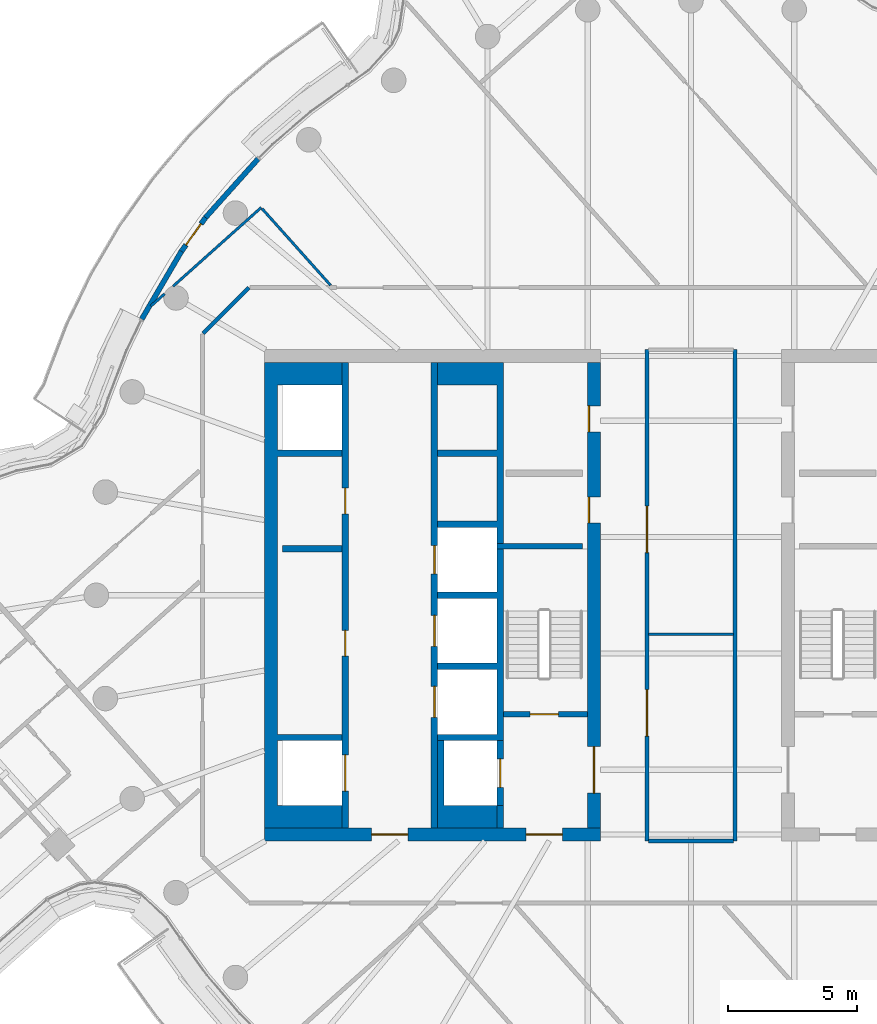
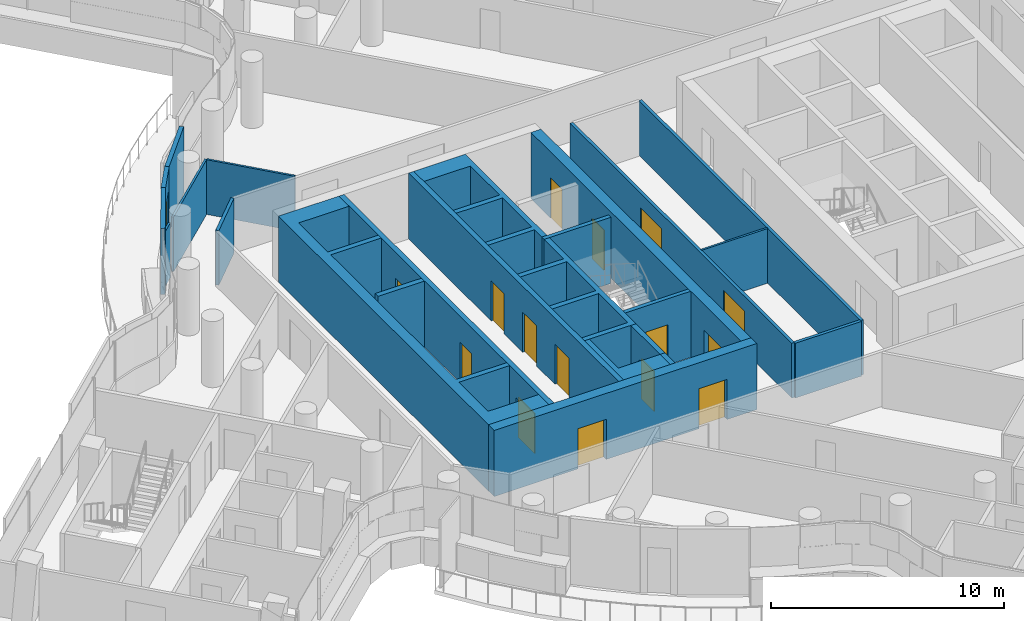
# One storey, part 22 of 33: 23 walls, 16 doors, 16 openings.
"""IFC4 building model written with IfcOpenShell, lengths in metres."""

from ifc_helpers import new_model, si_unit, direction, frame, frame_2d, origin, place, context, subcontext, project, spatial, polyline, rectangle, outline, extrude, material, layer, layer_set, type_object, element, fill, save


model = new_model("IFC4")

# Units and contexts
model_context = context("Model", 3, precision=1e-05, world=origin(), true_north=direction((0.0, 1.0)))
body_context = subcontext(model_context, "Body", "Model", "MODEL_VIEW")
ifc_project = project(units=[si_unit("LENGTHUNIT", "METRE"), si_unit("AREAUNIT", "SQUARE_METRE"), si_unit("VOLUMEUNIT", "CUBIC_METRE"), si_unit("PLANEANGLEUNIT", "RADIAN"), si_unit("MASSUNIT", "GRAM", prefix="KILO")], contexts=[model_context])

# Site, building, storey
site_placement = place(None, origin())
site = spatial("IfcSite", under=ifc_project, at=site_placement, CompositionType="ELEMENT")
building_placement = place(site_placement, origin())
building = spatial("IfcBuilding", under=site, at=building_placement, Name="Tamarind Cross Interchange Tower", CompositionType="ELEMENT")
storey_placement = place(building_placement, frame((0.0, 0.0, 186.10009765625)))
storey = spatial("IfcBuildingStorey", under=building, at=storey_placement, Name="L46", CompositionType="ELEMENT", Elevation=186.10009765625)

# Walls
ifc_material_1 = material(Name="Concrete C40", Category="concrete")
ifc_layer_1 = layer(ifc_material_1, 0.199951171875)
ifc_layer_set_1 = layer_set([ifc_layer_1], Name="Concrete C40")
wall_type_1 = type_object("IfcWallType", Name="Balcony and garden door wall", PredefinedType="SOLIDWALL", material=ifc_layer_set_1)
wall_1_placement = place(storey_placement, frame((-16.743408203125, 16.881103515625, 0.0), z_axis=(0.0, 0.0, 1.0), x_axis=(-0.667237213311, -0.744845286736, 0.0)))
element("IfcWall", 1, at=wall_1_placement, inside=storey, type_object=wall_type_1, Name="EXW-L46-10-D02L", PredefinedType="SOLIDWALL", context=body_context, shape_type="SweptSolid", body=[
    extrude(rectangle(XDim=3.04833984375, YDim=0.199951171875, at=frame_2d((1.524169921875, 0.0))), origin(), (0.0, 0.0, 1.0), 3.4599609375),
])
wall_2_placement = place(storey_placement, frame((-19.707763671875, 13.309326171875, 0.0), z_axis=(0.0, 0.0, 1.0), x_axis=(-0.504682807399, -0.863304849932, 0.0)))
element("IfcWall", 2, at=wall_2_placement, inside=storey, type_object=wall_type_1, Name="EXW-L46-10-D02R", PredefinedType="SOLIDWALL", context=body_context, shape_type="SweptSolid", body=[
    extrude(rectangle(XDim=3.047119140625, YDim=0.199951171875, at=frame_2d((1.5234375, 0.0))), origin(), (0.0, 0.0, 1.0), 3.4599609375),
])

# Wall, opening, door
wall_3_placement = place(storey_placement, frame((-18.77734375, 14.610595703125, 0.0), z_axis=(0.0, 0.0, 1.0), x_axis=(-0.58162792214, -0.81345495277, 0.0)))
wall_3 = element("IfcWall", 3, at=wall_3_placement, inside=storey, type_object=wall_type_1, Name="EXW-L46-10-D02", PredefinedType="SOLIDWALL", context=body_context, shape_type="SweptSolid", body=[
    extrude(rectangle(XDim=1.599609375, YDim=0.199951171875, at=frame_2d((0.7998046875, 0.0))), origin(), (0.0, 0.0, 1.0), 3.4599609375),
])
opening_1_placement = place(wall_3_placement, frame((0.2998046875, 0.0, 0.0)))
opening_1 = element("IfcOpeningElement", 4, at=opening_1_placement, cuts=wall_3, Name="Opening D2", PredefinedType="OPENING", context=body_context, shape_type="SweptSolid", body=[
    extrude(rectangle(XDim=1.0, YDim=2.39990234375, at=frame_2d((0.5, 1.199951171875))), frame((0.0, 0.10986328125, 0.0), z_axis=(0.0, -1.0, 0.0), x_axis=(1.0, 0.0, 0.0)), (0.0, 0.0, 1.0), 0.219970703125),
])
ifc_material_2 = material(Name="Aluminium and toughened glass", Category="aluminium")
door_type_1 = type_object("IfcDoorType", Name="Balcony and garden door", OperationType="SINGLE_SWING_LEFT", PredefinedType="DOOR", material=ifc_material_2)
door_1_placement = place(opening_1_placement, origin())
door_1 = element("IfcDoor", 5, at=door_1_placement, inside=storey, type_object=door_type_1, Name="DOR-L46-10-02", OperationType="SINGLE_SWING_LEFT", OverallHeight=2.39990234375, OverallWidth=1.0, PredefinedType="DOOR", context=body_context, shape_type="SweptSolid", body=[
    extrude(rectangle(XDim=1.0, YDim=2.39990234375, at=frame_2d((0.5, 1.199951171875))), frame((0.0, 0.02490234375, 0.0), z_axis=(0.0, -1.0, 0.0), x_axis=(1.0, 0.0, 0.0)), (0.0, 0.0, 1.0), 0.050048828125),
])
fill(opening_1, door_1)

# Wall, openings, doors
ifc_material_3 = material(Name="Concrete C55", Category="concrete")
ifc_layer_2 = layer(ifc_material_3, 0.5)
ifc_layer_set_2 = layer_set([ifc_layer_2], Name="Concrete C55")
wall_type_2 = type_object("IfcWallType", Name="Core wall 500 mm Concrete C55", PredefinedType="SHEAR", material=ifc_layer_set_2)
wall_4_placement = place(storey_placement, frame((-16.5, -9.25, 0.0), z_axis=(0.0, 0.0, 1.0), x_axis=(1.0, 0.0, 0.0)))
wall_4 = element("IfcWall", 6, at=wall_4_placement, inside=storey, type_object=wall_type_2, Name="Core wall CWL-L46-W-S", PredefinedType="SHEAR", context=body_context, shape_type="SweptSolid", body=[
    extrude(rectangle(XDim=13.0, YDim=0.5, at=frame_2d((6.5, 0.0))), origin(), (0.0, 0.0, 1.0), 3.4599609375),
])
opening_2_placement = place(wall_4_placement, frame((4.14990234375, 0.0, 0.0)))
opening_2 = element("IfcOpeningElement", 7, at=opening_2_placement, cuts=wall_4, Name="Opening DCW1", PredefinedType="OPENING", context=body_context, shape_type="SweptSolid", body=[
    extrude(rectangle(XDim=1.39990234375, YDim=2.10009765625, at=frame_2d((0.699951171875, 1.050048828125))), frame((0.0, 0.260009765625, 0.0), z_axis=(0.0, -1.0, 0.0), x_axis=(1.0, 0.0, 0.0)), (0.0, 0.0, 1.0), 0.52001953125),
])
opening_3_placement = place(wall_4_placement, frame((10.125, 0.0, 0.0)))
opening_3 = element("IfcOpeningElement", 8, at=opening_3_placement, cuts=wall_4, Name="Opening DCWF", PredefinedType="OPENING", context=body_context, shape_type="SweptSolid", body=[
    extrude(rectangle(XDim=1.39990234375, YDim=2.10009765625, at=frame_2d((0.699951171875, 1.050048828125))), frame((0.0, 0.260009765625, 0.0), z_axis=(0.0, -1.0, 0.0), x_axis=(1.0, 0.0, 0.0)), (0.0, 0.0, 1.0), 0.52001953125),
])
ifc_material_4 = material(Name="Steel, fire-resisting", Category="steel")
door_type_2 = type_object("IfcDoorType", Name="Core fire door 1400 x 2100 FD90", OperationType="SINGLE_SWING_LEFT", PredefinedType="DOOR", material=ifc_material_4)
door_2_placement = place(opening_2_placement, origin())
door_2 = element("IfcDoor", 9, at=door_2_placement, inside=storey, type_object=door_type_2, Name="L46 lift lobby door", OperationType="SINGLE_SWING_LEFT", OverallHeight=2.10009765625, OverallWidth=1.39990234375, PredefinedType="DOOR", context=body_context, shape_type="SweptSolid", body=[
    extrude(rectangle(XDim=1.39990234375, YDim=2.10009765625, at=frame_2d((0.699951171875, 1.050048828125))), frame((0.0, 0.02490234375, 0.0), z_axis=(0.0, -1.0, 0.0), x_axis=(1.0, 0.0, 0.0)), (0.0, 0.0, 1.0), 0.050048828125),
])
fill(opening_2, door_2)
door_3_placement = place(opening_3_placement, origin())
door_3 = element("IfcDoor", 10, at=door_3_placement, inside=storey, type_object=door_type_2, Name="L46 firefighting lobby end door", OperationType="SINGLE_SWING_LEFT", OverallHeight=2.10009765625, OverallWidth=1.39990234375, PredefinedType="DOOR", context=body_context, shape_type="SweptSolid", body=[
    extrude(rectangle(XDim=1.39990234375, YDim=2.10009765625, at=frame_2d((0.699951171875, 1.050048828125))), frame((0.0, 0.02490234375, 0.0), z_axis=(0.0, -1.0, 0.0), x_axis=(1.0, 0.0, 0.0)), (0.0, 0.0, 1.0), 0.050048828125),
])
fill(opening_3, door_3)

# Wall
wall_5_placement = place(storey_placement, origin())
element("IfcWall", 11, at=wall_5_placement, inside=storey, type_object=wall_type_2, Name="Core wall CWL-L46-W-A", PredefinedType="SHEAR", context=body_context, shape_type="SweptSolid", body=[
    extrude(outline(polyline([(-13.5, -8.125), (-16.0, -8.125), (-16.0, -5.625), (-13.5, -5.625), (-13.5, -5.375), (-16.0, -5.375), (-16.0, 5.375), (-13.5, 5.375), (-13.5, 5.625), (-16.0, 5.625), (-16.0, 8.125), (-13.5, 8.125), (-13.5, 9.0), (-16.0, 9.0), (-16.5, 9.0), (-16.5, -9.0), (-16.0, -9.0), (-13.5, -9.0), (-13.5, -8.125)])), origin(), (0.0, 0.0, 1.0), 3.4599609375),
])

# Wall, openings, doors
wall_6_placement = place(storey_placement, frame((-3.75, -9.0, 0.0), z_axis=(0.0, 0.0, 1.0), x_axis=(0.0, 1.0, 0.0)))
wall_6 = element("IfcWall", 12, at=wall_6_placement, inside=storey, type_object=wall_type_2, Name="Core wall CWL-L46-W-IN", PredefinedType="SHEAR", context=body_context, shape_type="SweptSolid", body=[
    extrude(rectangle(XDim=18.0, YDim=0.5, at=frame_2d((9.0, 0.0))), origin(), (0.0, 0.0, 1.0), 3.4599609375),
])
opening_4_placement = place(wall_6_placement, frame((1.35009765625, 0.0, 0.0)))
opening_4 = element("IfcOpeningElement", 13, at=opening_4_placement, cuts=wall_6, Name="Opening DCW4", PredefinedType="OPENING", context=body_context, shape_type="SweptSolid", body=[
    extrude(rectangle(XDim=1.800048828125, YDim=2.10009765625, at=frame_2d((0.89990234375, 1.050048828125))), frame((0.0, 0.260009765625, 0.0), z_axis=(0.0, -1.0, 0.0), x_axis=(1.0, 0.0, 0.0)), (0.0, 0.0, 1.0), 0.52001953125),
])
opening_5_placement = place(wall_6_placement, frame((11.797607421875, 0.0, 0.0)))
opening_5 = element("IfcOpeningElement", 14, at=opening_5_placement, cuts=wall_6, Name="Opening DCW5", PredefinedType="OPENING", context=body_context, shape_type="SweptSolid", body=[
    extrude(rectangle(XDim=1.0, YDim=2.10009765625, at=frame_2d((0.5, 1.050048828125))), frame((0.0, 0.260009765625, 0.0), z_axis=(0.0, -1.0, 0.0), x_axis=(1.0, 0.0, 0.0)), (0.0, 0.0, 1.0), 0.52001953125),
])
opening_6_placement = place(wall_6_placement, frame((15.322509765625, 0.0, 0.0)))
opening_6 = element("IfcOpeningElement", 15, at=opening_6_placement, cuts=wall_6, Name="Opening DCW5", PredefinedType="OPENING", context=body_context, shape_type="SweptSolid", body=[
    extrude(rectangle(XDim=1.0, YDim=2.10009765625, at=frame_2d((0.5, 1.050048828125))), frame((0.0, 0.260009765625, 0.0), z_axis=(0.0, -1.0, 0.0), x_axis=(1.0, 0.0, 0.0)), (0.0, 0.0, 1.0), 0.52001953125),
])
door_type_3 = type_object("IfcDoorType", Name="Core fire door 1000 x 2100 FD90", OperationType="SINGLE_SWING_LEFT", PredefinedType="DOOR", material=ifc_material_4)
door_4_placement = place(opening_5_placement, origin())
door_4 = element("IfcDoor", 16, at=door_4_placement, inside=storey, type_object=door_type_3, Name="L46 linen press door", OperationType="SINGLE_SWING_LEFT", OverallHeight=2.10009765625, OverallWidth=1.0, PredefinedType="DOOR", context=body_context, shape_type="SweptSolid", body=[
    extrude(rectangle(XDim=1.0, YDim=2.10009765625, at=frame_2d((0.5, 1.050048828125))), frame((0.0, 0.22509765625, 0.0), z_axis=(0.0, -1.0, 0.0), x_axis=(1.0, 0.0, 0.0)), (0.0, 0.0, 1.0), 0.050048828125),
])
fill(opening_5, door_4)
door_5_placement = place(opening_6_placement, origin())
door_5 = element("IfcDoor", 17, at=door_5_placement, inside=storey, type_object=door_type_3, Name="L46 housekeeping pantry door", OperationType="SINGLE_SWING_LEFT", OverallHeight=2.10009765625, OverallWidth=1.0, PredefinedType="DOOR", context=body_context, shape_type="SweptSolid", body=[
    extrude(rectangle(XDim=1.0, YDim=2.10009765625, at=frame_2d((0.5, 1.050048828125))), frame((0.0, 0.22509765625, 0.0), z_axis=(0.0, -1.0, 0.0), x_axis=(1.0, 0.0, 0.0)), (0.0, 0.0, 1.0), 0.050048828125),
])
fill(opening_6, door_5)
door_type_4 = type_object("IfcDoorType", Name="Core fire door 1800 x 2100 FD90", OperationType="SINGLE_SWING_LEFT", PredefinedType="DOOR", material=ifc_material_4)
door_6_placement = place(opening_4_placement, origin())
door_6 = element("IfcDoor", 18, at=door_6_placement, inside=storey, type_object=door_type_4, Name="L46 firefighting lobby door", OperationType="SINGLE_SWING_LEFT", OverallHeight=2.10009765625, OverallWidth=1.800048828125, PredefinedType="DOOR", context=body_context, shape_type="SweptSolid", body=[
    extrude(rectangle(XDim=1.800048828125, YDim=2.10009765625, at=frame_2d((0.89990234375, 1.050048828125))), frame((0.0, 0.02490234375, 0.0), z_axis=(0.0, -1.0, 0.0), x_axis=(1.0, 0.0, 0.0)), (0.0, 0.0, 1.0), 0.050048828125),
])
fill(opening_4, door_6)

# Walls
ifc_layer_3 = layer(ifc_material_3, 0.199951171875)
ifc_layer_set_3 = layer_set([ifc_layer_3], Name="Concrete C55")
wall_type_3 = type_object("IfcWallType", Name="Core web wall 200 mm Concrete C55", PredefinedType="SHEAR", material=ifc_layer_set_3)
wall_7_placement = place(storey_placement, frame((-7.5, 1.89990234375, 0.0), z_axis=(0.0, 0.0, 1.0), x_axis=(1.0, 0.0, 0.0)))
element("IfcWall", 19, at=wall_7_placement, inside=storey, type_object=wall_type_3, Name="Core wall CWL-L46-W-BD", PredefinedType="SHEAR", context=body_context, shape_type="SweptSolid", body=[
    extrude(rectangle(XDim=3.300048828125, YDim=0.199951171875, at=frame_2d((1.64990234375, 0.0))), origin(), (0.0, 0.0, 1.0), 3.4599609375),
])
ifc_layer_4 = layer(ifc_material_3, 0.25)
ifc_layer_set_4 = layer_set([ifc_layer_4], Name="Concrete C55")
wall_type_4 = type_object("IfcWallType", Name="Core web wall 250 mm Concrete C55", PredefinedType="SHEAR", material=ifc_layer_set_4)
wall_8_placement = place(storey_placement, origin())
element("IfcWall", 20, at=wall_8_placement, inside=storey, type_object=wall_type_4, Name="Core wall CWL-L46-W-BN", PredefinedType="SHEAR", context=body_context, shape_type="SweptSolid", body=[
    extrude(outline(polyline([(-9.800048828125, -5.375), (-9.800048828125, -5.625), (-7.5, -5.625), (-7.25, -5.625), (-7.25, 9.0), (-7.5, 9.0), (-9.800048828125, 9.0), (-9.800048828125, 8.125), (-7.5, 8.125), (-7.5, 5.625), (-9.800048828125, 5.625), (-9.800048828125, 5.375), (-7.5, 5.375), (-7.5, 2.875), (-9.800048828125, 2.875), (-9.800048828125, 2.625), (-7.5, 2.625), (-7.5, 0.125), (-9.800048828125, 0.125), (-9.800048828125, -0.125), (-7.5, -0.125), (-7.5, -2.625), (-9.800048828125, -2.625), (-9.800048828125, -2.875), (-7.5, -2.875), (-7.5, -5.375), (-9.800048828125, -5.375)])), origin(), (0.0, 0.0, 1.0), 3.4599609375),
])
wall_9_placement = place(storey_placement, origin())
element("IfcWall", 21, at=wall_9_placement, inside=storey, type_object=wall_type_4, Name="Core wall CWL-L46-W-BS", PredefinedType="SHEAR", context=body_context, shape_type="SweptSolid", body=[
    extrude(outline(polyline([(-7.5, -8.125), (-9.550048828125, -8.125), (-9.550048828125, -5.625), (-9.800048828125, -5.625), (-9.800048828125, -8.125), (-9.800048828125, -9.0), (-7.5, -9.0), (-7.5, -8.125)])), origin(), (0.0, 0.0, 1.0), 3.4599609375),
])
wall_10_placement = place(storey_placement, frame((-7.375, -9.0, 0.0), z_axis=(0.0, 0.0, 1.0), x_axis=(0.0, 1.0, 0.0)))
element("IfcWall", 22, at=wall_10_placement, inside=storey, type_object=wall_type_4, Name="Core wall CWL-L46-W-BW", PredefinedType="SHEAR", context=body_context, shape_type="SweptSolid", body=[
    extrude(rectangle(XDim=0.875, YDim=0.25, at=frame_2d((0.4375, 0.0))), origin(), (0.0, 0.0, 1.0), 3.4599609375),
])

# Wall, openings, doors
wall_11_placement = place(storey_placement, frame((-13.375, -9.0, 0.0), z_axis=(0.0, 0.0, 1.0), x_axis=(0.0, 1.0, 0.0)))
wall_11 = element("IfcWall", 23, at=wall_11_placement, inside=storey, type_object=wall_type_4, Name="Core wall CWL-L46-W-LA", PredefinedType="SHEAR", context=body_context, shape_type="SweptSolid", body=[
    extrude(rectangle(XDim=18.0, YDim=0.25, at=frame_2d((9.0, 0.0))), origin(), (0.0, 0.0, 1.0), 3.4599609375),
])
opening_7_placement = place(wall_11_placement, frame((1.425048828125, 0.0, 0.0)))
opening_7 = element("IfcOpeningElement", 24, at=opening_7_placement, cuts=wall_11, Name="Opening LD1L46", PredefinedType="OPENING", context=body_context, shape_type="SweptSolid", body=[
    extrude(rectangle(XDim=1.39990234375, YDim=2.10009765625, at=frame_2d((0.699951171875, 1.050048828125))), frame((0.0, 0.135009765625, 0.0), z_axis=(0.0, -1.0, 0.0), x_axis=(1.0, 0.0, 0.0)), (0.0, 0.0, 1.0), 0.27001953125),
])
opening_8_placement = place(wall_11_placement, frame((6.64599609375, 0.0, 0.0)))
opening_8 = element("IfcOpeningElement", 25, at=opening_8_placement, cuts=wall_11, Name="Opening DCW9", PredefinedType="OPENING", context=body_context, shape_type="SweptSolid", body=[
    extrude(rectangle(XDim=1.0, YDim=2.10009765625, at=frame_2d((0.5, 1.050048828125))), frame((0.0, 0.135009765625, 0.0), z_axis=(0.0, -1.0, 0.0), x_axis=(1.0, 0.0, 0.0)), (0.0, 0.0, 1.0), 0.27001953125),
])
opening_9_placement = place(wall_11_placement, frame((12.14599609375, 0.0, 0.0)))
opening_9 = element("IfcOpeningElement", 26, at=opening_9_placement, cuts=wall_11, Name="Opening DCW10", PredefinedType="OPENING", context=body_context, shape_type="SweptSolid", body=[
    extrude(rectangle(XDim=1.0, YDim=2.10009765625, at=frame_2d((0.5, 1.050048828125))), frame((0.0, 0.135009765625, 0.0), z_axis=(0.0, -1.0, 0.0), x_axis=(1.0, 0.0, 0.0)), (0.0, 0.0, 1.0), 0.27001953125),
])
door_7_placement = place(opening_8_placement, origin())
door_7 = element("IfcDoor", 27, at=door_7_placement, inside=storey, type_object=door_type_3, Name="L46 Guest laundry door", OperationType="SINGLE_SWING_LEFT", OverallHeight=2.10009765625, OverallWidth=1.0, PredefinedType="DOOR", context=body_context, shape_type="SweptSolid", body=[
    extrude(rectangle(XDim=1.0, YDim=2.10009765625, at=frame_2d((0.5, 1.050048828125))), frame((0.0, 0.02490234375, 0.0), z_axis=(0.0, -1.0, 0.0), x_axis=(1.0, 0.0, 0.0)), (0.0, 0.0, 1.0), 0.050048828125),
])
fill(opening_8, door_7)
door_8_placement = place(opening_9_placement, origin())
door_8 = element("IfcDoor", 28, at=door_8_placement, inside=storey, type_object=door_type_3, Name="L46 Housekeeping pantry door", OperationType="SINGLE_SWING_LEFT", OverallHeight=2.10009765625, OverallWidth=1.0, PredefinedType="DOOR", context=body_context, shape_type="SweptSolid", body=[
    extrude(rectangle(XDim=1.0, YDim=2.10009765625, at=frame_2d((0.5, 1.050048828125))), frame((0.0, 0.02490234375, 0.0), z_axis=(0.0, -1.0, 0.0), x_axis=(1.0, 0.0, 0.0)), (0.0, 0.0, 1.0), 0.050048828125),
])
fill(opening_9, door_8)
ifc_material_5 = material(Name="Stainless steel panel", Category="steel")
door_type_5 = type_object("IfcDoorType", Name="Lift landing door 1400 x 2100 E 120", OperationType="SLIDING_TO_LEFT", PredefinedType="DOOR", material=ifc_material_5)
door_9_placement = place(opening_7_placement, origin())
door_9 = element("IfcDoor", 29, at=door_9_placement, inside=storey, type_object=door_type_5, Name="L46 landing door LF1", OperationType="SLIDING_TO_LEFT", OverallHeight=2.10009765625, OverallWidth=1.39990234375, PredefinedType="DOOR", context=body_context, shape_type="SweptSolid", body=[
    extrude(rectangle(XDim=1.39990234375, YDim=2.10009765625, at=frame_2d((0.699951171875, 1.050048828125))), frame((0.0, 0.02490234375, 0.0), z_axis=(0.0, -1.0, 0.0), x_axis=(1.0, 0.0, 0.0)), (0.0, 0.0, 1.0), 0.050048828125),
])
fill(opening_7, door_9)

wall_12_placement = place(storey_placement, frame((-9.925048828125, -9.0, 0.0), z_axis=(0.0, 0.0, 1.0), x_axis=(0.0, 1.0, 0.0)))
wall_12 = element("IfcWall", 30, at=wall_12_placement, inside=storey, type_object=wall_type_4, Name="Core wall CWL-L46-W-LB", PredefinedType="SHEAR", context=body_context, shape_type="SweptSolid", body=[
    extrude(rectangle(XDim=18.0, YDim=0.25, at=frame_2d((9.0, 0.0))), origin(), (0.0, 0.0, 1.0), 3.4599609375),
])
opening_10_placement = place(wall_12_placement, frame((4.27490234375, 0.0, 0.0)))
opening_10 = element("IfcOpeningElement", 31, at=opening_10_placement, cuts=wall_12, Name="Opening LD8L46", PredefinedType="OPENING", context=body_context, shape_type="SweptSolid", body=[
    extrude(rectangle(XDim=1.199951171875, YDim=2.10009765625, at=frame_2d((0.60009765625, 1.050048828125))), frame((0.0, 0.135009765625, 0.0), z_axis=(0.0, -1.0, 0.0), x_axis=(1.0, 0.0, 0.0)), (0.0, 0.0, 1.0), 0.27001953125),
])
opening_11_placement = place(wall_12_placement, frame((7.02490234375, 0.0, 0.0)))
opening_11 = element("IfcOpeningElement", 32, at=opening_11_placement, cuts=wall_12, Name="Opening LD9L46", PredefinedType="OPENING", context=body_context, shape_type="SweptSolid", body=[
    extrude(rectangle(XDim=1.199951171875, YDim=2.10009765625, at=frame_2d((0.60009765625, 1.050048828125))), frame((0.0, 0.135009765625, 0.0), z_axis=(0.0, -1.0, 0.0), x_axis=(1.0, 0.0, 0.0)), (0.0, 0.0, 1.0), 0.27001953125),
])
opening_12_placement = place(wall_12_placement, frame((9.824951171875, 0.0, 0.0)))
opening_12 = element("IfcOpeningElement", 33, at=opening_12_placement, cuts=wall_12, Name="Opening LD10L46", PredefinedType="OPENING", context=body_context, shape_type="SweptSolid", body=[
    extrude(rectangle(XDim=1.10009765625, YDim=2.10009765625, at=frame_2d((0.550048828125, 1.050048828125))), frame((0.0, 0.135009765625, 0.0), z_axis=(0.0, -1.0, 0.0), x_axis=(1.0, 0.0, 0.0)), (0.0, 0.0, 1.0), 0.27001953125),
])
door_type_6 = type_object("IfcDoorType", Name="Lift landing door 1100 x 2100 E 120", OperationType="SLIDING_TO_LEFT", PredefinedType="DOOR", material=ifc_material_5)
door_10_placement = place(opening_12_placement, origin())
door_10 = element("IfcDoor", 34, at=door_10_placement, inside=storey, type_object=door_type_6, Name="L46 landing door LF10", OperationType="SLIDING_TO_LEFT", OverallHeight=2.10009765625, OverallWidth=1.10009765625, PredefinedType="DOOR", context=body_context, shape_type="SweptSolid", body=[
    extrude(rectangle(XDim=1.10009765625, YDim=2.10009765625, at=frame_2d((0.550048828125, 1.050048828125))), frame((0.0, 0.02490234375, 0.0), z_axis=(0.0, -1.0, 0.0), x_axis=(1.0, 0.0, 0.0)), (0.0, 0.0, 1.0), 0.050048828125),
])
fill(opening_12, door_10)
door_type_7 = type_object("IfcDoorType", Name="Lift landing door 1200 x 2100 E 120", OperationType="SLIDING_TO_LEFT", PredefinedType="DOOR", material=ifc_material_5)
door_11_placement = place(opening_10_placement, origin())
door_11 = element("IfcDoor", 35, at=door_11_placement, inside=storey, type_object=door_type_7, Name="L46 landing door LF8", OperationType="SLIDING_TO_LEFT", OverallHeight=2.10009765625, OverallWidth=1.199951171875, PredefinedType="DOOR", context=body_context, shape_type="SweptSolid", body=[
    extrude(rectangle(XDim=1.199951171875, YDim=2.10009765625, at=frame_2d((0.60009765625, 1.050048828125))), frame((0.0, 0.02490234375, 0.0), z_axis=(0.0, -1.0, 0.0), x_axis=(1.0, 0.0, 0.0)), (0.0, 0.0, 1.0), 0.050048828125),
])
fill(opening_10, door_11)
door_12_placement = place(opening_11_placement, origin())
door_12 = element("IfcDoor", 36, at=door_12_placement, inside=storey, type_object=door_type_7, Name="L46 landing door LF9", OperationType="SLIDING_TO_LEFT", OverallHeight=2.10009765625, OverallWidth=1.199951171875, PredefinedType="DOOR", context=body_context, shape_type="SweptSolid", body=[
    extrude(rectangle(XDim=1.199951171875, YDim=2.10009765625, at=frame_2d((0.60009765625, 1.050048828125))), frame((0.0, 0.02490234375, 0.0), z_axis=(0.0, -1.0, 0.0), x_axis=(1.0, 0.0, 0.0)), (0.0, 0.0, 1.0), 0.050048828125),
])
fill(opening_11, door_12)

# Wall, opening, door
wall_13_placement = place(storey_placement, frame((-7.375, -8.125, 0.0), z_axis=(0.0, 0.0, 1.0), x_axis=(0.0, 1.0, 0.0)))
wall_13 = element("IfcWall", 37, at=wall_13_placement, inside=storey, type_object=wall_type_4, Name="Core wall CWL-L46-W-FF", PredefinedType="SHEAR", context=body_context, shape_type="SweptSolid", body=[
    extrude(rectangle(XDim=2.5, YDim=0.25, at=frame_2d((1.25, 0.0))), origin(), (0.0, 0.0, 1.0), 3.4599609375),
])
opening_13_placement = place(wall_13_placement, frame((0.699951171875, 0.0, 0.0)))
opening_13 = element("IfcOpeningElement", 38, at=opening_13_placement, cuts=wall_13, Name="Opening LD7L46", PredefinedType="OPENING", context=body_context, shape_type="SweptSolid", body=[
    extrude(rectangle(XDim=1.10009765625, YDim=2.10009765625, at=frame_2d((0.550048828125, 1.050048828125))), frame((0.0, 0.135009765625, 0.0), z_axis=(0.0, -1.0, 0.0), x_axis=(1.0, 0.0, 0.0)), (0.0, 0.0, 1.0), 0.27001953125),
])
door_13_placement = place(opening_13_placement, origin())
door_13 = element("IfcDoor", 39, at=door_13_placement, inside=storey, type_object=door_type_6, Name="L46 landing door LF7", OperationType="SLIDING_TO_LEFT", OverallHeight=2.10009765625, OverallWidth=1.10009765625, PredefinedType="DOOR", context=body_context, shape_type="SweptSolid", body=[
    extrude(rectangle(XDim=1.10009765625, YDim=2.10009765625, at=frame_2d((0.550048828125, 1.050048828125))), frame((0.0, 0.02490234375, 0.0), z_axis=(0.0, -1.0, 0.0), x_axis=(1.0, 0.0, 0.0)), (0.0, 0.0, 1.0), 0.050048828125),
])
fill(opening_13, door_13)

# Walls
ifc_material_6 = material(Name="Gypsum board partition on steel studs", Category="steel")
ifc_layer_5 = layer(ifc_material_6, 0.10009765625)
ifc_layer_set_5 = layer_set([ifc_layer_5], Name="Gypsum board partition on steel studs")
wall_type_5 = type_object("IfcWallType", Name="Partition 100 mm EI 120", PredefinedType="PARTITIONING", material=ifc_layer_set_5)
wall_14_placement = place(storey_placement, frame((-1.639892578125, -1.5, 0.0), z_axis=(0.0, 0.0, 1.0), x_axis=(1.0, 0.0, 0.0)))
element("IfcWall", 40, at=wall_14_placement, inside=storey, type_object=wall_type_5, Name="Partition L46-039", PredefinedType="PARTITIONING", context=body_context, shape_type="SweptSolid", body=[
    extrude(rectangle(XDim=3.27978515625, YDim=0.10009765625, at=frame_2d((1.639892578125, 0.0))), origin(), (0.0, 0.0, 1.0), 2.864013671875),
])
ifc_layer_6 = layer(ifc_material_6, 0.10009765625)
ifc_layer_set_6 = layer_set([ifc_layer_6], Name="Gypsum board partition on steel studs")
wall_type_6 = type_object("IfcWallType", Name="Partition 100 mm EI 90", PredefinedType="PARTITIONING", material=ifc_layer_set_6)
wall_15_placement = place(storey_placement, frame((-16.59375, 14.958740234375, 0.0), z_axis=(0.0, 0.0, 1.0), x_axis=(0.66652964255, -0.745478527928, 0.0)))
element("IfcWall", 41, at=wall_15_placement, inside=storey, type_object=wall_type_6, Name="Partition L46-011", PredefinedType="PARTITIONING", context=body_context, shape_type="SweptSolid", body=[
    extrude(rectangle(XDim=3.98291015625, YDim=0.10009765625, at=frame_2d((1.991455078125, 0.0))), origin(), (0.0, 0.0, 1.0), 2.864013671875),
])
wall_16_placement = place(storey_placement, frame((-20.8876953125, 11.188232421875, 0.0), z_axis=(0.0, 0.0, 1.0), x_axis=(0.74557570649, 0.666420937465, 0.0)))
element("IfcWall", 42, at=wall_16_placement, inside=storey, type_object=wall_type_6, Name="Partition L46-052", PredefinedType="PARTITIONING", context=body_context, shape_type="SweptSolid", body=[
    extrude(rectangle(XDim=0.706298828125, YDim=0.10009765625, at=frame_2d((0.35302734375, 0.0))), origin(), (0.0, 0.0, 1.0), 2.864013671875),
])
wall_17_placement = place(storey_placement, frame((-20.029296875, 11.955322265625, 0.0), z_axis=(0.0, 0.0, 1.0), x_axis=(0.745614810603, 0.666377186141, 0.0)))
element("IfcWall", 43, at=wall_17_placement, inside=storey, type_object=wall_type_6, Name="Partition L46-053", PredefinedType="PARTITIONING", context=body_context, shape_type="SweptSolid", body=[
    extrude(rectangle(XDim=4.563232421875, YDim=0.10009765625, at=frame_2d((2.28173828125, 0.0))), origin(), (0.0, 0.0, 1.0), 2.864013671875),
])
ifc_layer_7 = layer(ifc_material_6, 0.14990234375)
ifc_layer_set_7 = layer_set([ifc_layer_7], Name="Gypsum board partition on steel studs")
wall_type_7 = type_object("IfcWallType", Name="Partition 150 mm EI 120", PredefinedType="PARTITIONING", material=ifc_layer_set_7)
wall_18_placement = place(storey_placement, frame((-1.639892578125, -9.5, 0.0), z_axis=(0.0, 0.0, 1.0), x_axis=(1.0, 0.0, 0.0)))
element("IfcWall", 44, at=wall_18_placement, inside=storey, type_object=wall_type_7, Name="Partition L46-038", PredefinedType="PARTITIONING", context=body_context, shape_type="SweptSolid", body=[
    extrude(rectangle(XDim=3.27978515625, YDim=0.14990234375, at=frame_2d((1.639892578125, 0.0))), origin(), (0.0, 0.0, 1.0), 2.864013671875),
])
wall_19_placement = place(storey_placement, frame((-18.87158203125, 10.12841796875, 0.0), z_axis=(0.0, 0.0, 1.0), x_axis=(0.707106781187, 0.707106781187, 0.0)))
element("IfcWall", 45, at=wall_19_placement, inside=storey, type_object=wall_type_7, Name="Partition L46-074", PredefinedType="PARTITIONING", context=body_context, shape_type="SweptSolid", body=[
    extrude(rectangle(XDim=2.50537109375, YDim=0.14990234375, at=frame_2d((1.252685546875, 0.0))), origin(), (0.0, 0.0, 1.0), 2.864013671875),
])

# Wall, openings, doors
wall_20_placement = place(storey_placement, frame((-1.699951171875, -9.5, 0.0), z_axis=(0.0, 0.0, 1.0), x_axis=(0.0, 1.0, 0.0)))
wall_20 = element("IfcWall", 46, at=wall_20_placement, inside=storey, type_object=wall_type_7, Name="Partition L46-077", PredefinedType="PARTITIONING", context=body_context, shape_type="SweptSolid", body=[
    extrude(rectangle(XDim=19.0, YDim=0.14990234375, at=frame_2d((9.5, 0.0))), origin(), (0.0, 0.0, 1.0), 2.864013671875),
])
opening_14_placement = place(wall_20_placement, frame((4.050048828125, 0.0, 0.0)))
opening_14 = element("IfcOpeningElement", 47, at=opening_14_placement, cuts=wall_20, Name="Opening D43", PredefinedType="OPENING", context=body_context, shape_type="SweptSolid", body=[
    extrude(rectangle(XDim=1.800048828125, YDim=2.10009765625, at=frame_2d((0.89990234375, 1.050048828125))), frame((0.0, 0.0849609375, 0.0), z_axis=(0.0, -1.0, 0.0), x_axis=(1.0, 0.0, 0.0)), (0.0, 0.0, 1.0), 0.169921875),
])
opening_15_placement = place(wall_20_placement, frame((11.14990234375, 0.0, 0.0)))
opening_15 = element("IfcOpeningElement", 48, at=opening_15_placement, cuts=wall_20, Name="Opening D44", PredefinedType="OPENING", context=body_context, shape_type="SweptSolid", body=[
    extrude(rectangle(XDim=1.800048828125, YDim=2.10009765625, at=frame_2d((0.89990234375, 1.050048828125))), frame((0.0, 0.0849609375, 0.0), z_axis=(0.0, -1.0, 0.0), x_axis=(1.0, 0.0, 0.0)), (0.0, 0.0, 1.0), 0.169921875),
])
ifc_material_7 = material(Name="Fire-resisting door set")
door_type_8 = type_object("IfcDoorType", Name="Interior door 1800 x 2100 FD60S", OperationType="DOUBLE_DOOR_SINGLE_SWING", PredefinedType="DOOR", material=ifc_material_7)
door_14_placement = place(opening_14_placement, frame((1.800048828125, 0.0, 0.0), z_axis=(0.0, 0.0, 1.0), x_axis=(-1.0, 0.0, 0.0)))
door_14 = element("IfcDoor", 49, at=door_14_placement, inside=storey, type_object=door_type_8, Name="Door D43", OperationType="DOUBLE_DOOR_SINGLE_SWING", OverallHeight=2.10009765625, OverallWidth=1.800048828125, PredefinedType="DOOR", context=body_context, shape_type="SweptSolid", body=[
    extrude(rectangle(XDim=1.800048828125, YDim=2.10009765625, at=frame_2d((0.89990234375, 1.050048828125))), frame((0.0, 0.02490234375, 0.0), z_axis=(0.0, -1.0, 0.0), x_axis=(1.0, 0.0, 0.0)), (0.0, 0.0, 1.0), 0.050048828125),
])
fill(opening_14, door_14)
door_15_placement = place(opening_15_placement, frame((1.800048828125, 0.0, 0.0), z_axis=(0.0, 0.0, 1.0), x_axis=(-1.0, 0.0, 0.0)))
door_15 = element("IfcDoor", 50, at=door_15_placement, inside=storey, type_object=door_type_8, Name="Door D44", OperationType="DOUBLE_DOOR_SINGLE_SWING", OverallHeight=2.10009765625, OverallWidth=1.800048828125, PredefinedType="DOOR", context=body_context, shape_type="SweptSolid", body=[
    extrude(rectangle(XDim=1.800048828125, YDim=2.10009765625, at=frame_2d((0.89990234375, 1.050048828125))), frame((0.0, 0.02490234375, 0.0), z_axis=(0.0, -1.0, 0.0), x_axis=(1.0, 0.0, 0.0)), (0.0, 0.0, 1.0), 0.050048828125),
])
fill(opening_15, door_15)

# Walls
wall_21_placement = place(storey_placement, frame((1.699951171875, -9.5, 0.0), z_axis=(0.0, 0.0, 1.0), x_axis=(0.0, 1.0, 0.0)))
element("IfcWall", 51, at=wall_21_placement, inside=storey, type_object=wall_type_7, Name="Partition L46-078", PredefinedType="PARTITIONING", context=body_context, shape_type="SweptSolid", body=[
    extrude(rectangle(XDim=19.0, YDim=0.14990234375, at=frame_2d((9.5, 0.0))), origin(), (0.0, 0.0, 1.0), 2.864013671875),
])
ifc_layer_8 = layer(ifc_material_1, 0.25)
ifc_layer_set_8 = layer_set([ifc_layer_8], Name="Concrete C40")
wall_type_8 = type_object("IfcWallType", Name="Shaft and lobby wall 250 mm Concrete C40", PredefinedType="PARTITIONING", material=ifc_layer_set_8)
wall_22_placement = place(storey_placement, frame((-15.800048828125, 1.7919921875, 0.0), z_axis=(0.0, 0.0, 1.0), x_axis=(1.0, 0.0, 0.0)))
element("IfcWall", 52, at=wall_22_placement, inside=storey, type_object=wall_type_8, Name="Shaft wall CWL-L46-W-FPA1", PredefinedType="PARTITIONING", context=body_context, shape_type="SweptSolid", body=[
    extrude(rectangle(XDim=2.300048828125, YDim=0.25, at=frame_2d((1.14990234375, 0.0))), origin(), (0.0, 0.0, 1.0), 3.4599609375),
])

# Wall, opening, door
ifc_layer_9 = layer(ifc_material_1, 0.199951171875)
ifc_layer_set_9 = layer_set([ifc_layer_9], Name="Concrete C40")
wall_type_9 = type_object("IfcWallType", Name="Stair shaft wall 200 mm Concrete C40", PredefinedType="SHEAR", material=ifc_layer_set_9)
wall_23_placement = place(storey_placement, frame((-7.25, -4.60009765625, 0.0), z_axis=(0.0, 0.0, 1.0), x_axis=(1.0, 0.0, 0.0)))
wall_23 = element("IfcWall", 53, at=wall_23_placement, inside=storey, type_object=wall_type_9, Name="Core wall CWL-L46-W-SD", PredefinedType="SHEAR", context=body_context, shape_type="SweptSolid", body=[
    extrude(rectangle(XDim=3.25, YDim=0.199951171875, at=frame_2d((1.625, 0.0))), origin(), (0.0, 0.0, 1.0), 3.4599609375),
])
opening_16_placement = place(wall_23_placement, frame((1.02490234375, 0.0, 0.0)))
opening_16 = element("IfcOpeningElement", 54, at=opening_16_placement, cuts=wall_23, Name="Opening DCW6", PredefinedType="OPENING", context=body_context, shape_type="SweptSolid", body=[
    extrude(rectangle(XDim=1.10009765625, YDim=2.10009765625, at=frame_2d((0.550048828125, 1.050048828125))), frame((0.0, 0.10986328125, 0.0), z_axis=(0.0, -1.0, 0.0), x_axis=(1.0, 0.0, 0.0)), (0.0, 0.0, 1.0), 0.219970703125),
])
door_type_9 = type_object("IfcDoorType", Name="Core fire door 1100 x 2100 FD90", OperationType="SINGLE_SWING_LEFT", PredefinedType="DOOR", material=ifc_material_4)
door_16_placement = place(opening_16_placement, origin())
door_16 = element("IfcDoor", 55, at=door_16_placement, inside=storey, type_object=door_type_9, Name="L46 stair door", OperationType="SINGLE_SWING_LEFT", OverallHeight=2.10009765625, OverallWidth=1.10009765625, PredefinedType="DOOR", context=body_context, shape_type="SweptSolid", body=[
    extrude(rectangle(XDim=1.10009765625, YDim=2.10009765625, at=frame_2d((0.550048828125, 1.050048828125))), frame((0.0, 0.02490234375, 0.0), z_axis=(0.0, -1.0, 0.0), x_axis=(1.0, 0.0, 0.0)), (0.0, 0.0, 1.0), 0.050048828125),
])
fill(opening_16, door_16)

save(model, "model.ifc")
